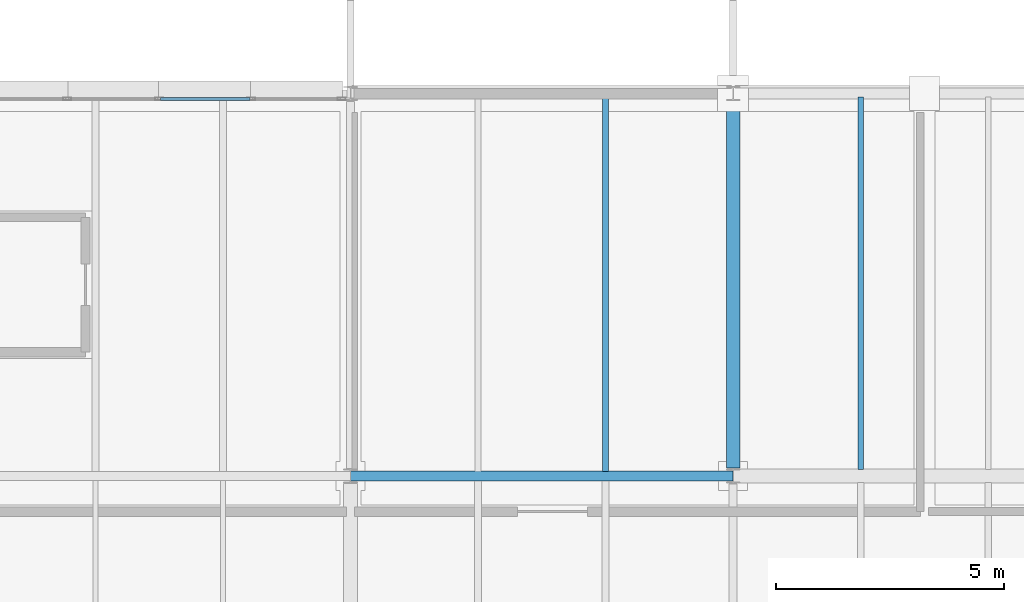
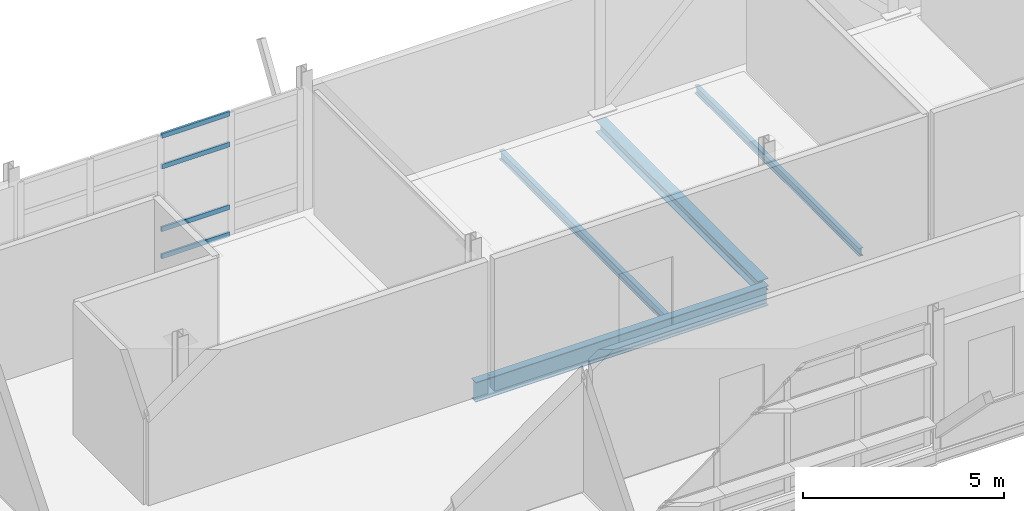
# One storey, part 14 of 35: 4 beams, 4 members, 1 element without a shape of its own.
"""IFC4 building model written with IfcOpenShell, lengths in metres."""

from ifc_helpers import new_model, si_unit, direction, frame, origin, origin_2d, place, context, subcontext, project, spatial, hollow_rectangle, i_section, extrude, material, material_profile, profile_set, type_object, element, aggregate, save


model = new_model("IFC4")

# Units and contexts
model_context = context("Model", 3, precision=1e-05, world=origin(), true_north=direction((0.0, 1.0)))
body_context = subcontext(model_context, "Body", "Model", "MODEL_VIEW")
ifc_project = project(units=[si_unit("LENGTHUNIT", "METRE"), si_unit("AREAUNIT", "SQUARE_METRE"), si_unit("VOLUMEUNIT", "CUBIC_METRE"), si_unit("PLANEANGLEUNIT", "RADIAN"), si_unit("MASSUNIT", "GRAM", prefix="KILO")], contexts=[model_context])

# Site, building, storey
site_placement = place(None, origin())
site = spatial("IfcSite", under=ifc_project, at=site_placement, CompositionType="ELEMENT")
building_placement = place(site_placement, origin())
building = spatial("IfcBuilding", under=site, at=building_placement, Name="Mersafa Astral City Hall", CompositionType="ELEMENT")
storey_placement = place(building_placement, frame((0.0, 0.0, 30.14990234375)))
storey = spatial("IfcBuildingStorey", under=building, at=storey_placement, Name="L07", CompositionType="ELEMENT", Elevation=30.14990234375)

# Curtain wall, members
ifc_material_1 = material(Name="Anodised bronze aluminium framing", Category="aluminium")
curtain_wall_type = type_object("IfcCurtainWallType", Name="ENV-CW-4", PredefinedType="USERDEFINED", material=ifc_material_1)
curtain_wall_placement = place(storey_placement, origin())
curtain_wall = element("IfcCurtainWall", 1, at=curtain_wall_placement, inside=storey, type_object=curtain_wall_type, Name="L07 Unitised solar curtain wall 273", ObjectType="UNITISED CURTAIN WALL", PredefinedType="USERDEFINED")
ifc_material_profile_1 = material_profile(ifc_material_1, hollow_rectangle(XDim=0.06005859375, YDim=0.139892578125, WallThickness=0.00390625, at=origin_2d()), Name="RHS 60x140x4")
ifc_profile_set_1 = profile_set([ifc_material_profile_1], Name="Anodised bronze aluminium framing")
member_type = type_object("IfcMemberType", Name="ENV-CW-TRN-1", PredefinedType="USERDEFINED", material=ifc_profile_set_1)
member_1_placement = place(storey_placement, frame((123.7890625, 125.8798828125, 0.028076171875), z_axis=(-1.0, 0.0, 0.0), x_axis=(0.0, -1.0, 0.0)))
member_1 = element("IfcMember", 2, at=member_1_placement, type_object=member_type, Name="CW-4 transom 2.1", ObjectType="TRANSOM", PredefinedType="USERDEFINED", context=body_context, shape_type="SweptSolid", body=[
    extrude(hollow_rectangle(XDim=0.06005859375, YDim=0.139892578125, WallThickness=0.00390625, at=origin_2d()), origin(), (0.0, 0.0, 1.0), 1.958984375),
])
member_2_placement = place(storey_placement, frame((123.7890625, 125.8798828125, 0.85009765625), z_axis=(-1.0, 0.0, 0.0), x_axis=(0.0, -1.0, 0.0)))
member_2 = element("IfcMember", 3, at=member_2_placement, type_object=member_type, Name="CW-4 transom 2.2", ObjectType="TRANSOM", PredefinedType="USERDEFINED", context=body_context, shape_type="SweptSolid", body=[
    extrude(hollow_rectangle(XDim=0.06005859375, YDim=0.139892578125, WallThickness=0.00390625, at=origin_2d()), origin(), (0.0, 0.0, 1.0), 1.958984375),
])
member_3_placement = place(storey_placement, frame((123.7890625, 125.8798828125, 2.75), z_axis=(-1.0, 0.0, 0.0), x_axis=(0.0, -1.0, 0.0)))
member_3 = element("IfcMember", 4, at=member_3_placement, type_object=member_type, Name="CW-4 transom 2.3", ObjectType="TRANSOM", PredefinedType="USERDEFINED", context=body_context, shape_type="SweptSolid", body=[
    extrude(hollow_rectangle(XDim=0.06005859375, YDim=0.139892578125, WallThickness=0.00390625, at=origin_2d()), origin(), (0.0, 0.0, 1.0), 1.958984375),
])
member_4_placement = place(storey_placement, frame((123.7890625, 125.8798828125, 3.677001953125), z_axis=(-1.0, 0.0, 0.0), x_axis=(0.0, -1.0, 0.0)))
member_4 = element("IfcMember", 5, at=member_4_placement, type_object=member_type, Name="CW-4 transom 2.4", ObjectType="TRANSOM", PredefinedType="USERDEFINED", context=body_context, shape_type="SweptSolid", body=[
    extrude(hollow_rectangle(XDim=0.06005859375, YDim=0.139892578125, WallThickness=0.00390625, at=origin_2d()), origin(), (0.0, 0.0, 1.0), 1.958984375),
])
aggregate(curtain_wall, [member_1, member_2, member_3, member_4])

# Beams
ifc_material_2 = material(Name="Steel S355", Category="steel")
ifc_material_profile_2 = material_profile(ifc_material_2, i_section(OverallWidth=0.300048828125, OverallDepth=0.35009765625, WebThickness=0.010009765625, FlangeThickness=0.017578125, FilletRadius=0.027099609375, at=origin_2d()), Name="HEA 360")
ifc_profile_set_2 = profile_set([ifc_material_profile_2], Name="Steel S355")
beam_type_1 = type_object("IfcBeamType", Name="STR-BM-HEA360", PredefinedType="BEAM", material=ifc_profile_set_2)
beam_1_placement = place(storey_placement, frame((134.39990234375, 117.77490234375, -0.349853515625), z_axis=(0.0, 1.0, 0.0), x_axis=(-1.0, 0.0, 0.0)))
element("IfcBeam", 6, at=beam_1_placement, inside=storey, type_object=beam_type_1, Name="L07 Primary girder Y 16-14", PredefinedType="BEAM", context=body_context, shape_type="SweptSolid", body=[
    extrude(i_section(OverallWidth=0.300048828125, OverallDepth=0.35009765625, WebThickness=0.010009765625, FlangeThickness=0.017578125, FilletRadius=0.027099609375, at=origin_2d()), origin(), (0.0, 0.0, 1.0), 8.06005859375),
])
ifc_material_profile_3 = material_profile(ifc_material_2, i_section(OverallWidth=0.219970703125, OverallDepth=0.60009765625, WebThickness=0.011962890625, FlangeThickness=0.01904296875, FilletRadius=0.02392578125, at=origin_2d()), Name="IPE 600")
ifc_profile_set_3 = profile_set([ifc_material_profile_3], Name="Steel S355")
beam_type_2 = type_object("IfcBeamType", Name="STR-BM-IPE600", PredefinedType="BEAM", material=ifc_profile_set_3)
beam_2_placement = place(storey_placement, frame((126.0029296875, 117.60009765625, -0.474853515625), z_axis=(1.0, 0.0, 0.0), x_axis=(0.0, 1.0, 0.0)))
element("IfcBeam", 7, at=beam_2_placement, inside=storey, type_object=beam_type_2, Name="L07 Primary girder X 15-14", PredefinedType="BEAM", context=body_context, shape_type="SweptSolid", body=[
    extrude(i_section(OverallWidth=0.219970703125, OverallDepth=0.60009765625, WebThickness=0.011962890625, FlangeThickness=0.01904296875, FilletRadius=0.02392578125, at=origin_2d()), origin(), (0.0, 0.0, 1.0), 8.39404296875),
])
ifc_material_profile_4 = material_profile(ifc_material_2, i_section(OverallWidth=0.1201171875, OverallDepth=0.239990234375, WebThickness=0.006103515625, FlangeThickness=0.009765625, FilletRadius=0.014892578125, at=origin_2d()), Name="IPE 240")
ifc_profile_set_4 = profile_set([ifc_material_profile_4], Name="Steel S355")
beam_type_3 = type_object("IfcBeamType", Name="STR-BM-JOIST-IPE240", PredefinedType="JOIST", material=ifc_profile_set_4)
beam_3_placement = place(storey_placement, frame((137.199951171875, 117.7451171875, -0.294921875), z_axis=(0.0, 1.0, 0.0), x_axis=(-1.0, 0.0, 0.0)))
element("IfcBeam", 8, at=beam_3_placement, inside=storey, type_object=beam_type_3, Name="L07 Composite secondary floor joist 902", PredefinedType="JOIST", context=body_context, shape_type="SweptSolid", body=[
    extrude(i_section(OverallWidth=0.1201171875, OverallDepth=0.239990234375, WebThickness=0.006103515625, FlangeThickness=0.009765625, FilletRadius=0.014892578125, at=origin_2d()), origin(), (0.0, 0.0, 1.0), 8.179931640625),
])
ifc_material_profile_5 = material_profile(ifc_material_2, i_section(OverallWidth=0.135009765625, OverallDepth=0.27001953125, WebThickness=0.006591796875, FlangeThickness=0.01025390625, FilletRadius=0.014892578125, at=origin_2d()), Name="IPE 270")
ifc_profile_set_5 = profile_set([ifc_material_profile_5], Name="Steel S355")
beam_type_4 = type_object("IfcBeamType", Name="STR-BM-JOIST-IPE270", PredefinedType="JOIST", material=ifc_profile_set_5)
beam_4_placement = place(storey_placement, frame((131.60009765625, 117.705078125, -0.309814453125), z_axis=(0.0, 1.0, 0.0), x_axis=(-1.0, 0.0, 0.0)))
element("IfcBeam", 9, at=beam_4_placement, inside=storey, type_object=beam_type_4, Name="L07 Composite secondary floor joist 899", PredefinedType="JOIST", context=body_context, shape_type="SweptSolid", body=[
    extrude(i_section(OverallWidth=0.135009765625, OverallDepth=0.27001953125, WebThickness=0.006591796875, FlangeThickness=0.01025390625, FilletRadius=0.014892578125, at=origin_2d()), origin(), (0.0, 0.0, 1.0), 8.21484375),
])

save(model, "model.ifc")
